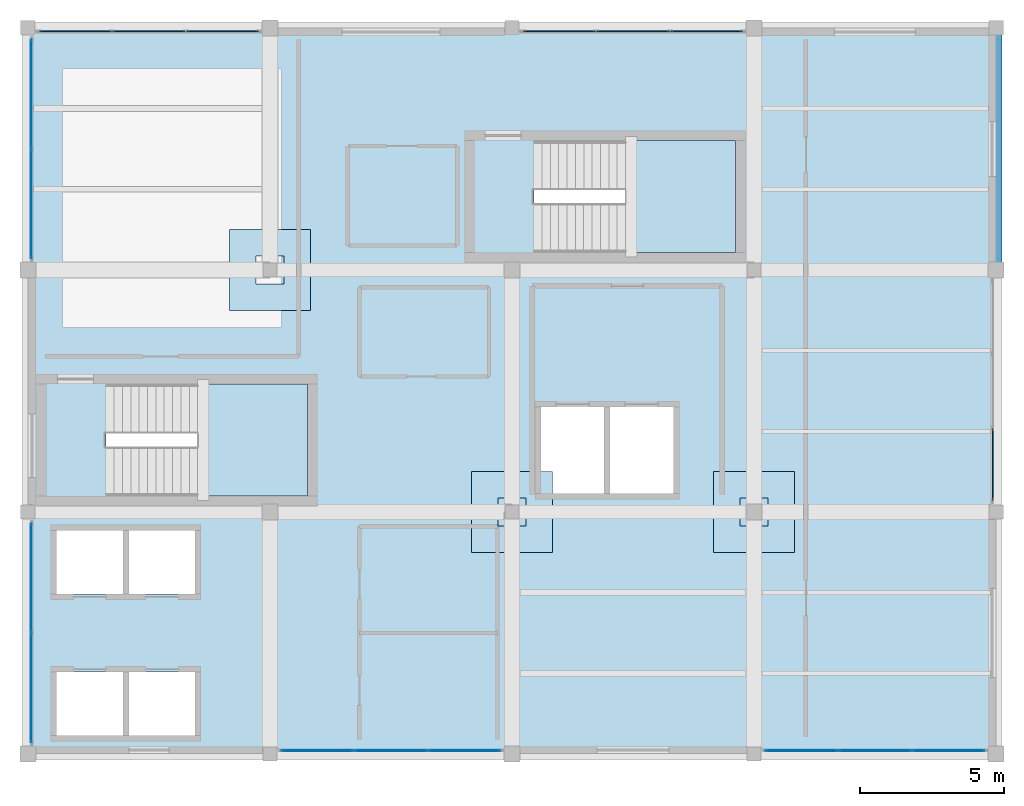
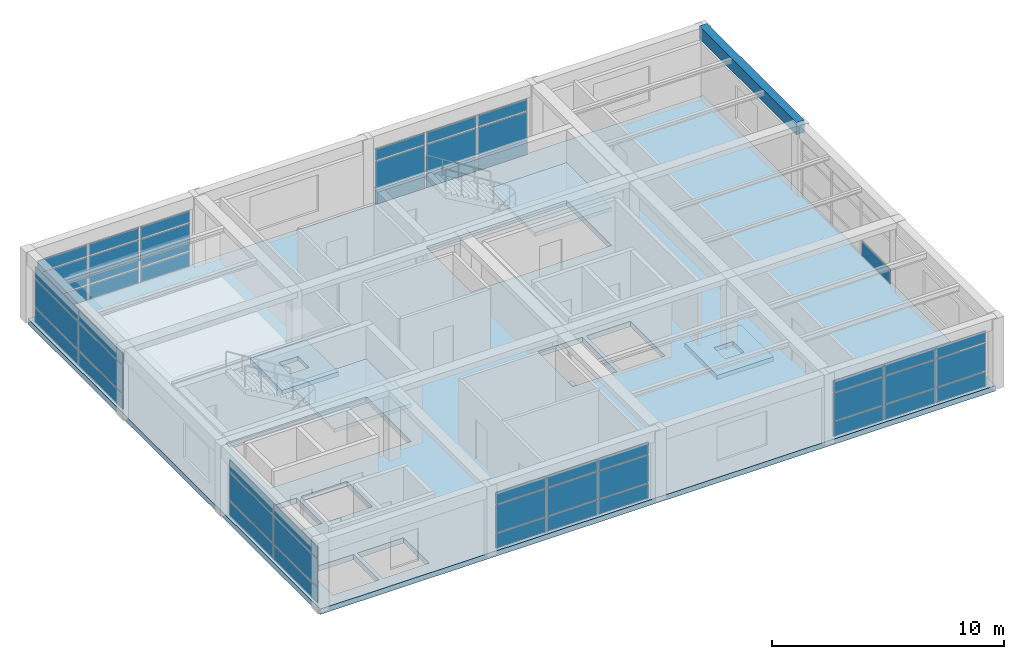
# One storey, part 17 of 20: 49 plates, 6 slabs, 1 beam, 9 elements without a shape of their own.
"""IFC4 building model written with IfcOpenShell, lengths in metres."""

from ifc_helpers import new_model, si_unit, direction, frame, origin, origin_2d, place, context, subcontext, project, spatial, polyline, rectangle, outline, extrude, material, layer, layer_set, material_profile, profile_set, type_object, element, aggregate, save


model = new_model("IFC4")

# Units and contexts
model_context = context("Model", 3, precision=1e-05, world=origin(), true_north=direction((0.0, 1.0)))
body_context = subcontext(model_context, "Body", "Model", "MODEL_VIEW")
ifc_project = project(units=[si_unit("LENGTHUNIT", "METRE"), si_unit("AREAUNIT", "SQUARE_METRE"), si_unit("VOLUMEUNIT", "CUBIC_METRE"), si_unit("PLANEANGLEUNIT", "RADIAN"), si_unit("MASSUNIT", "GRAM", prefix="KILO")], contexts=[model_context])

# Site, building, storey
site_placement = place(None, origin())
site = spatial("IfcSite", under=ifc_project, at=site_placement, CompositionType="ELEMENT")
building_placement = place(site_placement, origin())
building = spatial("IfcBuilding", under=site, at=building_placement, Name="Almacenes y Pasaje Nevantli", CompositionType="ELEMENT")
storey_placement = place(building_placement, frame((0.0, 0.0, 62.699951171875)))
storey = spatial("IfcBuildingStorey", under=building, at=storey_placement, Name="L15", CompositionType="ELEMENT", Elevation=62.699951171875)

# Beam
ifc_material_1 = material(Name="Concrete C35/45", Category="concrete")
ifc_material_profile = material_profile(ifc_material_1, rectangle(XDim=0.39990234375, YDim=0.64990234375, at=origin_2d()), Name="RC-BM-400x650")
ifc_profile_set = profile_set([ifc_material_profile], Name="Concrete C35/45")
beam_type = type_object("IfcBeamType", Name="BM-RC-400x650", PredefinedType="SPANDREL", material=ifc_profile_set)
beam_placement = place(storey_placement, frame((151.199951171875, 84.0, 3.39501953125), z_axis=(0.0, 1.0, 0.0), x_axis=(-1.0, 0.0, 0.0)))
element("IfcBeam", 1, at=beam_placement, inside=storey, type_object=beam_type, Name="L15 North-South Reinforced Concrete Beam #4042", PredefinedType="SPANDREL", context=body_context, shape_type="SweptSolid", body=[
    extrude(rectangle(XDim=0.39990234375, YDim=0.64990234375, at=origin_2d()), origin(), (0.0, 0.0, 1.0), 8.39990234375),
])

# Curtain wall, plates
ifc_material_2 = material(Name="Thermally Broken Aluminium and Low-E Glass", Category="aluminium")
curtain_wall_type = type_object("IfcCurtainWallType", Name="CW-UNIT-TOWER", PredefinedType="USERDEFINED", material=ifc_material_2)
curtain_wall_1_placement = place(storey_placement, origin())
curtain_wall_1 = element("IfcCurtainWall", 2, at=curtain_wall_1_placement, inside=storey, type_object=curtain_wall_type, Name="L15 Tower South Unitized Curtain Wall Bay 16", ObjectType="UNITIZED CURTAIN WALL", PredefinedType="USERDEFINED")
ifc_material_3 = material(Name="Low-E Double Glazed Insulated Unit", Category="glass")
ifc_layer_1 = layer(ifc_material_3, 0.031982421875)
ifc_layer_set_1 = layer_set([ifc_layer_1], Name="Low-E Double Glazed Insulated Unit")
plate_type_1 = type_object("IfcPlateType", Name="PL-IGU-32", PredefinedType="CURTAIN_PANEL", material=ifc_layer_set_1)
plate_1_placement = place(storey_placement, frame((127.6484375, 67.320068359375, 0.06005859375), z_axis=(0.0, 0.0, 1.0), x_axis=(1.0, 0.0, 0.0)))
plate_1 = element("IfcPlate", 3, at=plate_1_placement, type_object=plate_type_1, Name="CW-L15-185 panel 1.1", PredefinedType="CURTAIN_PANEL", context=body_context, shape_type="SweptSolid", body=[
    extrude(rectangle(XDim=2.4765625, YDim=0.031982421875, at=origin_2d()), origin(), (0.0, 0.0, 1.0), 0.760009765625),
])
plate_2_placement = place(storey_placement, frame((127.6484375, 67.320068359375, 0.880126953125), z_axis=(0.0, 0.0, 1.0), x_axis=(1.0, 0.0, 0.0)))
plate_2 = element("IfcPlate", 4, at=plate_2_placement, type_object=plate_type_1, Name="CW-L15-185 panel 1.2", PredefinedType="CURTAIN_PANEL", context=body_context, shape_type="SweptSolid", body=[
    extrude(rectangle(XDim=2.4765625, YDim=0.031982421875, at=origin_2d()), origin(), (0.0, 0.0, 1.0), 1.43994140625),
])
plate_3_placement = place(storey_placement, frame((127.6484375, 67.320068359375, 2.3798828125), z_axis=(0.0, 0.0, 1.0), x_axis=(1.0, 0.0, 0.0)))
plate_3 = element("IfcPlate", 5, at=plate_3_placement, type_object=plate_type_1, Name="CW-L15-185 panel 1.3", PredefinedType="CURTAIN_PANEL", context=body_context, shape_type="SweptSolid", body=[
    extrude(rectangle(XDim=2.4765625, YDim=0.031982421875, at=origin_2d()), origin(), (0.0, 0.0, 1.0), 0.60009765625),
])
plate_4_placement = place(storey_placement, frame((130.199951171875, 67.320068359375, 0.06005859375), z_axis=(0.0, 0.0, 1.0), x_axis=(1.0, 0.0, 0.0)))
plate_4 = element("IfcPlate", 6, at=plate_4_placement, type_object=plate_type_1, Name="CW-L15-185 panel 2.1", PredefinedType="CURTAIN_PANEL", context=body_context, shape_type="SweptSolid", body=[
    extrude(rectangle(XDim=2.506591796875, YDim=0.031982421875, at=origin_2d()), origin(), (0.0, 0.0, 1.0), 0.760009765625),
])
plate_5_placement = place(storey_placement, frame((130.199951171875, 67.320068359375, 0.880126953125), z_axis=(0.0, 0.0, 1.0), x_axis=(1.0, 0.0, 0.0)))
plate_5 = element("IfcPlate", 7, at=plate_5_placement, type_object=plate_type_1, Name="CW-L15-185 panel 2.2", PredefinedType="CURTAIN_PANEL", context=body_context, shape_type="SweptSolid", body=[
    extrude(rectangle(XDim=2.506591796875, YDim=0.031982421875, at=origin_2d()), origin(), (0.0, 0.0, 1.0), 1.43994140625),
])
plate_6_placement = place(storey_placement, frame((130.199951171875, 67.320068359375, 2.3798828125), z_axis=(0.0, 0.0, 1.0), x_axis=(1.0, 0.0, 0.0)))
plate_6 = element("IfcPlate", 8, at=plate_6_placement, type_object=plate_type_1, Name="CW-L15-185 panel 2.3", PredefinedType="CURTAIN_PANEL", context=body_context, shape_type="SweptSolid", body=[
    extrude(rectangle(XDim=2.506591796875, YDim=0.031982421875, at=origin_2d()), origin(), (0.0, 0.0, 1.0), 0.60009765625),
])
plate_7_placement = place(storey_placement, frame((132.751708984375, 67.320068359375, 0.06005859375), z_axis=(0.0, 0.0, 1.0), x_axis=(1.0, 0.0, 0.0)))
plate_7 = element("IfcPlate", 9, at=plate_7_placement, type_object=plate_type_1, Name="CW-L15-185 panel 3.1", PredefinedType="CURTAIN_PANEL", context=body_context, shape_type="SweptSolid", body=[
    extrude(rectangle(XDim=2.4765625, YDim=0.031982421875, at=origin_2d()), origin(), (0.0, 0.0, 1.0), 0.760009765625),
])
plate_8_placement = place(storey_placement, frame((132.751708984375, 67.320068359375, 0.880126953125), z_axis=(0.0, 0.0, 1.0), x_axis=(1.0, 0.0, 0.0)))
plate_8 = element("IfcPlate", 10, at=plate_8_placement, type_object=plate_type_1, Name="CW-L15-185 panel 3.2", PredefinedType="CURTAIN_PANEL", context=body_context, shape_type="SweptSolid", body=[
    extrude(rectangle(XDim=2.4765625, YDim=0.031982421875, at=origin_2d()), origin(), (0.0, 0.0, 1.0), 1.43994140625),
])
plate_9_placement = place(storey_placement, frame((132.751708984375, 67.320068359375, 2.3798828125), z_axis=(0.0, 0.0, 1.0), x_axis=(1.0, 0.0, 0.0)))
plate_9 = element("IfcPlate", 11, at=plate_9_placement, type_object=plate_type_1, Name="CW-L15-185 panel 3.3", PredefinedType="CURTAIN_PANEL", context=body_context, shape_type="SweptSolid", body=[
    extrude(rectangle(XDim=2.4765625, YDim=0.031982421875, at=origin_2d()), origin(), (0.0, 0.0, 1.0), 0.60009765625),
])
aggregate(curtain_wall_1, [plate_1, plate_2, plate_3, plate_4, plate_5, plate_6, plate_7, plate_8, plate_9])

curtain_wall_2_placement = place(storey_placement, origin())
curtain_wall_2 = element("IfcCurtainWall", 12, at=curtain_wall_2_placement, inside=storey, type_object=curtain_wall_type, Name="L15 Tower South Unitized Curtain Wall Bay 18", ObjectType="UNITIZED CURTAIN WALL", PredefinedType="USERDEFINED")
plate_10_placement = place(storey_placement, frame((144.4482421875, 67.320068359375, 0.06005859375), z_axis=(0.0, 0.0, 1.0), x_axis=(1.0, 0.0, 0.0)))
plate_10 = element("IfcPlate", 13, at=plate_10_placement, type_object=plate_type_1, Name="CW-L15-187 panel 1.1", PredefinedType="CURTAIN_PANEL", context=body_context, shape_type="SweptSolid", body=[
    extrude(rectangle(XDim=2.4765625, YDim=0.031982421875, at=origin_2d()), origin(), (0.0, 0.0, 1.0), 0.760009765625),
])
plate_11_placement = place(storey_placement, frame((144.4482421875, 67.320068359375, 0.880126953125), z_axis=(0.0, 0.0, 1.0), x_axis=(1.0, 0.0, 0.0)))
plate_11 = element("IfcPlate", 14, at=plate_11_placement, type_object=plate_type_1, Name="CW-L15-187 panel 1.2", PredefinedType="CURTAIN_PANEL", context=body_context, shape_type="SweptSolid", body=[
    extrude(rectangle(XDim=2.4765625, YDim=0.031982421875, at=origin_2d()), origin(), (0.0, 0.0, 1.0), 1.43994140625),
])
plate_12_placement = place(storey_placement, frame((144.4482421875, 67.320068359375, 2.3798828125), z_axis=(0.0, 0.0, 1.0), x_axis=(1.0, 0.0, 0.0)))
plate_12 = element("IfcPlate", 15, at=plate_12_placement, type_object=plate_type_1, Name="CW-L15-187 panel 1.3", PredefinedType="CURTAIN_PANEL", context=body_context, shape_type="SweptSolid", body=[
    extrude(rectangle(XDim=2.4765625, YDim=0.031982421875, at=origin_2d()), origin(), (0.0, 0.0, 1.0), 0.60009765625),
])
plate_13_placement = place(storey_placement, frame((147.0, 67.320068359375, 0.06005859375), z_axis=(0.0, 0.0, 1.0), x_axis=(1.0, 0.0, 0.0)))
plate_13 = element("IfcPlate", 16, at=plate_13_placement, type_object=plate_type_1, Name="CW-L15-187 panel 2.1", PredefinedType="CURTAIN_PANEL", context=body_context, shape_type="SweptSolid", body=[
    extrude(rectangle(XDim=2.506591796875, YDim=0.031982421875, at=origin_2d()), origin(), (0.0, 0.0, 1.0), 0.760009765625),
])
plate_14_placement = place(storey_placement, frame((147.0, 67.320068359375, 0.880126953125), z_axis=(0.0, 0.0, 1.0), x_axis=(1.0, 0.0, 0.0)))
plate_14 = element("IfcPlate", 17, at=plate_14_placement, type_object=plate_type_1, Name="CW-L15-187 panel 2.2", PredefinedType="CURTAIN_PANEL", context=body_context, shape_type="SweptSolid", body=[
    extrude(rectangle(XDim=2.506591796875, YDim=0.031982421875, at=origin_2d()), origin(), (0.0, 0.0, 1.0), 1.43994140625),
])
plate_15_placement = place(storey_placement, frame((147.0, 67.320068359375, 2.3798828125), z_axis=(0.0, 0.0, 1.0), x_axis=(1.0, 0.0, 0.0)))
plate_15 = element("IfcPlate", 18, at=plate_15_placement, type_object=plate_type_1, Name="CW-L15-187 panel 2.3", PredefinedType="CURTAIN_PANEL", context=body_context, shape_type="SweptSolid", body=[
    extrude(rectangle(XDim=2.506591796875, YDim=0.031982421875, at=origin_2d()), origin(), (0.0, 0.0, 1.0), 0.60009765625),
])
plate_16_placement = place(storey_placement, frame((149.5517578125, 67.320068359375, 0.06005859375), z_axis=(0.0, 0.0, 1.0), x_axis=(1.0, 0.0, 0.0)))
plate_16 = element("IfcPlate", 19, at=plate_16_placement, type_object=plate_type_1, Name="CW-L15-187 panel 3.1", PredefinedType="CURTAIN_PANEL", context=body_context, shape_type="SweptSolid", body=[
    extrude(rectangle(XDim=2.4765625, YDim=0.031982421875, at=origin_2d()), origin(), (0.0, 0.0, 1.0), 0.760009765625),
])
plate_17_placement = place(storey_placement, frame((149.5517578125, 67.320068359375, 0.880126953125), z_axis=(0.0, 0.0, 1.0), x_axis=(1.0, 0.0, 0.0)))
plate_17 = element("IfcPlate", 20, at=plate_17_placement, type_object=plate_type_1, Name="CW-L15-187 panel 3.2", PredefinedType="CURTAIN_PANEL", context=body_context, shape_type="SweptSolid", body=[
    extrude(rectangle(XDim=2.4765625, YDim=0.031982421875, at=origin_2d()), origin(), (0.0, 0.0, 1.0), 1.43994140625),
])
plate_18_placement = place(storey_placement, frame((149.5517578125, 67.320068359375, 2.3798828125), z_axis=(0.0, 0.0, 1.0), x_axis=(1.0, 0.0, 0.0)))
plate_18 = element("IfcPlate", 21, at=plate_18_placement, type_object=plate_type_1, Name="CW-L15-187 panel 3.3", PredefinedType="CURTAIN_PANEL", context=body_context, shape_type="SweptSolid", body=[
    extrude(rectangle(XDim=2.4765625, YDim=0.031982421875, at=origin_2d()), origin(), (0.0, 0.0, 1.0), 0.60009765625),
])
aggregate(curtain_wall_2, [plate_10, plate_11, plate_12, plate_13, plate_14, plate_15, plate_16, plate_17, plate_18])

curtain_wall_3_placement = place(storey_placement, origin())
curtain_wall_3 = element("IfcCurtainWall", 22, at=curtain_wall_3_placement, inside=storey, type_object=curtain_wall_type, Name="L15 Tower West Curtain Wall Bay 9", ObjectType="UNITIZED CURTAIN WALL", PredefinedType="USERDEFINED")
plate_19_placement = place(storey_placement, frame((117.719970703125, 69.489990234375, 0.06005859375), z_axis=(0.0, 0.0, 1.0), x_axis=(0.0, 1.0, 0.0)))
plate_19 = element("IfcPlate", 23, at=plate_19_placement, type_object=plate_type_1, Name="CW-L15-188 panel 1.1", PredefinedType="CURTAIN_PANEL", context=body_context, shape_type="SweptSolid", body=[
    extrude(rectangle(XDim=3.760009765625, YDim=0.031982421875, at=origin_2d()), origin(), (0.0, 0.0, 1.0), 0.760009765625),
])
plate_20_placement = place(storey_placement, frame((117.719970703125, 69.489990234375, 0.880126953125), z_axis=(0.0, 0.0, 1.0), x_axis=(0.0, 1.0, 0.0)))
plate_20 = element("IfcPlate", 24, at=plate_20_placement, type_object=plate_type_1, Name="CW-L15-188 panel 1.2", PredefinedType="CURTAIN_PANEL", context=body_context, shape_type="SweptSolid", body=[
    extrude(rectangle(XDim=3.760009765625, YDim=0.031982421875, at=origin_2d()), origin(), (0.0, 0.0, 1.0), 1.43994140625),
])
plate_21_placement = place(storey_placement, frame((117.719970703125, 69.489990234375, 2.3798828125), z_axis=(0.0, 0.0, 1.0), x_axis=(0.0, 1.0, 0.0)))
plate_21 = element("IfcPlate", 25, at=plate_21_placement, type_object=plate_type_1, Name="CW-L15-188 panel 1.3", PredefinedType="CURTAIN_PANEL", context=body_context, shape_type="SweptSolid", body=[
    extrude(rectangle(XDim=3.760009765625, YDim=0.031982421875, at=origin_2d()), origin(), (0.0, 0.0, 1.0), 0.60009765625),
])
plate_22_placement = place(storey_placement, frame((117.719970703125, 73.31005859375, 0.06005859375), z_axis=(0.0, 0.0, 1.0), x_axis=(0.0, 1.0, 0.0)))
plate_22 = element("IfcPlate", 26, at=plate_22_placement, type_object=plate_type_1, Name="CW-L15-188 panel 2.1", PredefinedType="CURTAIN_PANEL", context=body_context, shape_type="SweptSolid", body=[
    extrude(rectangle(XDim=3.760009765625, YDim=0.031982421875, at=origin_2d()), origin(), (0.0, 0.0, 1.0), 0.760009765625),
])
plate_23_placement = place(storey_placement, frame((117.719970703125, 73.31005859375, 0.880126953125), z_axis=(0.0, 0.0, 1.0), x_axis=(0.0, 1.0, 0.0)))
plate_23 = element("IfcPlate", 27, at=plate_23_placement, type_object=plate_type_1, Name="CW-L15-188 panel 2.2", PredefinedType="CURTAIN_PANEL", context=body_context, shape_type="SweptSolid", body=[
    extrude(rectangle(XDim=3.760009765625, YDim=0.031982421875, at=origin_2d()), origin(), (0.0, 0.0, 1.0), 1.43994140625),
])
plate_24_placement = place(storey_placement, frame((117.719970703125, 73.31005859375, 2.3798828125), z_axis=(0.0, 0.0, 1.0), x_axis=(0.0, 1.0, 0.0)))
plate_24 = element("IfcPlate", 28, at=plate_24_placement, type_object=plate_type_1, Name="CW-L15-188 panel 2.3", PredefinedType="CURTAIN_PANEL", context=body_context, shape_type="SweptSolid", body=[
    extrude(rectangle(XDim=3.760009765625, YDim=0.031982421875, at=origin_2d()), origin(), (0.0, 0.0, 1.0), 0.60009765625),
])
aggregate(curtain_wall_3, [plate_19, plate_20, plate_21, plate_22, plate_23, plate_24])

curtain_wall_4_placement = place(storey_placement, origin())
curtain_wall_4 = element("IfcCurtainWall", 29, at=curtain_wall_4_placement, inside=storey, type_object=curtain_wall_type, Name="L15 Tower West Curtain Wall Bay 11", ObjectType="UNITIZED CURTAIN WALL", PredefinedType="USERDEFINED")
plate_25_placement = place(storey_placement, frame((117.719970703125, 86.2900390625, 0.06005859375), z_axis=(0.0, 0.0, 1.0), x_axis=(0.0, 1.0, 0.0)))
plate_25 = element("IfcPlate", 30, at=plate_25_placement, type_object=plate_type_1, Name="CW-L15-190 panel 1.1", PredefinedType="CURTAIN_PANEL", context=body_context, shape_type="SweptSolid", body=[
    extrude(rectangle(XDim=3.760009765625, YDim=0.031982421875, at=origin_2d()), origin(), (0.0, 0.0, 1.0), 0.760009765625),
])
plate_26_placement = place(storey_placement, frame((117.719970703125, 86.2900390625, 0.880126953125), z_axis=(0.0, 0.0, 1.0), x_axis=(0.0, 1.0, 0.0)))
plate_26 = element("IfcPlate", 31, at=plate_26_placement, type_object=plate_type_1, Name="CW-L15-190 panel 1.2", PredefinedType="CURTAIN_PANEL", context=body_context, shape_type="SweptSolid", body=[
    extrude(rectangle(XDim=3.760009765625, YDim=0.031982421875, at=origin_2d()), origin(), (0.0, 0.0, 1.0), 1.43994140625),
])
plate_27_placement = place(storey_placement, frame((117.719970703125, 86.2900390625, 2.3798828125), z_axis=(0.0, 0.0, 1.0), x_axis=(0.0, 1.0, 0.0)))
plate_27 = element("IfcPlate", 32, at=plate_27_placement, type_object=plate_type_1, Name="CW-L15-190 panel 1.3", PredefinedType="CURTAIN_PANEL", context=body_context, shape_type="SweptSolid", body=[
    extrude(rectangle(XDim=3.760009765625, YDim=0.031982421875, at=origin_2d()), origin(), (0.0, 0.0, 1.0), 0.60009765625),
])
plate_28_placement = place(storey_placement, frame((117.719970703125, 90.110107421875, 0.06005859375), z_axis=(0.0, 0.0, 1.0), x_axis=(0.0, 1.0, 0.0)))
plate_28 = element("IfcPlate", 33, at=plate_28_placement, type_object=plate_type_1, Name="CW-L15-190 panel 2.1", PredefinedType="CURTAIN_PANEL", context=body_context, shape_type="SweptSolid", body=[
    extrude(rectangle(XDim=3.760009765625, YDim=0.031982421875, at=origin_2d()), origin(), (0.0, 0.0, 1.0), 0.760009765625),
])
plate_29_placement = place(storey_placement, frame((117.719970703125, 90.110107421875, 0.880126953125), z_axis=(0.0, 0.0, 1.0), x_axis=(0.0, 1.0, 0.0)))
plate_29 = element("IfcPlate", 34, at=plate_29_placement, type_object=plate_type_1, Name="CW-L15-190 panel 2.2", PredefinedType="CURTAIN_PANEL", context=body_context, shape_type="SweptSolid", body=[
    extrude(rectangle(XDim=3.760009765625, YDim=0.031982421875, at=origin_2d()), origin(), (0.0, 0.0, 1.0), 1.43994140625),
])
plate_30_placement = place(storey_placement, frame((117.719970703125, 90.110107421875, 2.3798828125), z_axis=(0.0, 0.0, 1.0), x_axis=(0.0, 1.0, 0.0)))
plate_30 = element("IfcPlate", 35, at=plate_30_placement, type_object=plate_type_1, Name="CW-L15-190 panel 2.3", PredefinedType="CURTAIN_PANEL", context=body_context, shape_type="SweptSolid", body=[
    extrude(rectangle(XDim=3.760009765625, YDim=0.031982421875, at=origin_2d()), origin(), (0.0, 0.0, 1.0), 0.60009765625),
])
aggregate(curtain_wall_4, [plate_25, plate_26, plate_27, plate_28, plate_29, plate_30])

curtain_wall_5_placement = place(storey_placement, origin())
curtain_wall_5 = element("IfcCurtainWall", 36, at=curtain_wall_5_placement, inside=storey, type_object=curtain_wall_type, Name="L15 Tower North Boulevard Unitized Curtain Wall Bay 15", ObjectType="UNITIZED CURTAIN WALL", PredefinedType="USERDEFINED")
ifc_material_4 = material(Name="Acoustic Tempered Low-E Triple Glazed Unit", Category="glass")
ifc_layer_2 = layer(ifc_material_4, 0.0419921875)
ifc_layer_set_2 = layer_set([ifc_layer_2], Name="Acoustic Tempered Low-E Triple Glazed Unit")
plate_type_2 = type_object("IfcPlateType", Name="PL-IGU-42", PredefinedType="CURTAIN_PANEL", material=ifc_layer_set_2)
plate_31_placement = place(storey_placement, frame((119.24951171875, 92.280029296875, 0.065185546875), z_axis=(0.0, 0.0, 1.0), x_axis=(1.0, 0.0, 0.0)))
plate_31 = element("IfcPlate", 37, at=plate_31_placement, type_object=plate_type_2, Name="CW-L15-184 panel 1.1", PredefinedType="CURTAIN_PANEL", context=body_context, shape_type="SweptSolid", body=[
    extrude(rectangle(XDim=2.46923828125, YDim=0.0419921875, at=origin_2d()), origin(), (0.0, 0.0, 1.0), 0.75244140625),
])
plate_32_placement = place(storey_placement, frame((119.24951171875, 92.280029296875, 0.882568359375), z_axis=(0.0, 0.0, 1.0), x_axis=(1.0, 0.0, 0.0)))
plate_32 = element("IfcPlate", 38, at=plate_32_placement, type_object=plate_type_2, Name="CW-L15-184 panel 1.2", PredefinedType="CURTAIN_PANEL", context=body_context, shape_type="SweptSolid", body=[
    extrude(rectangle(XDim=2.46923828125, YDim=0.0419921875, at=origin_2d()), origin(), (0.0, 0.0, 1.0), 1.43505859375),
])
plate_33_placement = place(storey_placement, frame((119.24951171875, 92.280029296875, 2.38232421875), z_axis=(0.0, 0.0, 1.0), x_axis=(1.0, 0.0, 0.0)))
plate_33 = element("IfcPlate", 39, at=plate_33_placement, type_object=plate_type_2, Name="CW-L15-184 panel 1.3", PredefinedType="CURTAIN_PANEL", context=body_context, shape_type="SweptSolid", body=[
    extrude(rectangle(XDim=2.46923828125, YDim=0.0419921875, at=origin_2d()), origin(), (0.0, 0.0, 1.0), 0.592529296875),
])
plate_34_placement = place(storey_placement, frame((121.800048828125, 92.280029296875, 0.065185546875), z_axis=(0.0, 0.0, 1.0), x_axis=(1.0, 0.0, 0.0)))
plate_34 = element("IfcPlate", 40, at=plate_34_placement, type_object=plate_type_2, Name="CW-L15-184 panel 2.1", PredefinedType="CURTAIN_PANEL", context=body_context, shape_type="SweptSolid", body=[
    extrude(rectangle(XDim=2.501708984375, YDim=0.0419921875, at=origin_2d()), origin(), (0.0, 0.0, 1.0), 0.75244140625),
])
plate_35_placement = place(storey_placement, frame((121.800048828125, 92.280029296875, 0.882568359375), z_axis=(0.0, 0.0, 1.0), x_axis=(1.0, 0.0, 0.0)))
plate_35 = element("IfcPlate", 41, at=plate_35_placement, type_object=plate_type_2, Name="CW-L15-184 panel 2.2", PredefinedType="CURTAIN_PANEL", context=body_context, shape_type="SweptSolid", body=[
    extrude(rectangle(XDim=2.501708984375, YDim=0.0419921875, at=origin_2d()), origin(), (0.0, 0.0, 1.0), 1.43505859375),
])
plate_36_placement = place(storey_placement, frame((121.800048828125, 92.280029296875, 2.38232421875), z_axis=(0.0, 0.0, 1.0), x_axis=(1.0, 0.0, 0.0)))
plate_36 = element("IfcPlate", 42, at=plate_36_placement, type_object=plate_type_2, Name="CW-L15-184 panel 2.3", PredefinedType="CURTAIN_PANEL", context=body_context, shape_type="SweptSolid", body=[
    extrude(rectangle(XDim=2.501708984375, YDim=0.0419921875, at=origin_2d()), origin(), (0.0, 0.0, 1.0), 0.592529296875),
])
plate_37_placement = place(storey_placement, frame((124.350341796875, 92.280029296875, 0.065185546875), z_axis=(0.0, 0.0, 1.0), x_axis=(1.0, 0.0, 0.0)))
plate_37 = element("IfcPlate", 43, at=plate_37_placement, type_object=plate_type_2, Name="CW-L15-184 panel 3.1", PredefinedType="CURTAIN_PANEL", context=body_context, shape_type="SweptSolid", body=[
    extrude(rectangle(XDim=2.46923828125, YDim=0.0419921875, at=origin_2d()), origin(), (0.0, 0.0, 1.0), 0.75244140625),
])
plate_38_placement = place(storey_placement, frame((124.350341796875, 92.280029296875, 0.882568359375), z_axis=(0.0, 0.0, 1.0), x_axis=(1.0, 0.0, 0.0)))
plate_38 = element("IfcPlate", 44, at=plate_38_placement, type_object=plate_type_2, Name="CW-L15-184 panel 3.2", PredefinedType="CURTAIN_PANEL", context=body_context, shape_type="SweptSolid", body=[
    extrude(rectangle(XDim=2.46923828125, YDim=0.0419921875, at=origin_2d()), origin(), (0.0, 0.0, 1.0), 1.43505859375),
])
plate_39_placement = place(storey_placement, frame((124.350341796875, 92.280029296875, 2.38232421875), z_axis=(0.0, 0.0, 1.0), x_axis=(1.0, 0.0, 0.0)))
plate_39 = element("IfcPlate", 45, at=plate_39_placement, type_object=plate_type_2, Name="CW-L15-184 panel 3.3", PredefinedType="CURTAIN_PANEL", context=body_context, shape_type="SweptSolid", body=[
    extrude(rectangle(XDim=2.46923828125, YDim=0.0419921875, at=origin_2d()), origin(), (0.0, 0.0, 1.0), 0.592529296875),
])
aggregate(curtain_wall_5, [plate_31, plate_32, plate_33, plate_34, plate_35, plate_36, plate_37, plate_38, plate_39])

curtain_wall_6_placement = place(storey_placement, origin())
curtain_wall_6 = element("IfcCurtainWall", 46, at=curtain_wall_6_placement, inside=storey, type_object=curtain_wall_type, Name="L15 Tower North Boulevard Unitized Curtain Wall Bay 17", ObjectType="UNITIZED CURTAIN WALL", PredefinedType="USERDEFINED")
plate_40_placement = place(storey_placement, frame((136.049560546875, 92.280029296875, 0.065185546875), z_axis=(0.0, 0.0, 1.0), x_axis=(1.0, 0.0, 0.0)))
plate_40 = element("IfcPlate", 47, at=plate_40_placement, type_object=plate_type_2, Name="CW-L15-186 panel 1.1", PredefinedType="CURTAIN_PANEL", context=body_context, shape_type="SweptSolid", body=[
    extrude(rectangle(XDim=2.46923828125, YDim=0.0419921875, at=origin_2d()), origin(), (0.0, 0.0, 1.0), 0.75244140625),
])
plate_41_placement = place(storey_placement, frame((136.049560546875, 92.280029296875, 0.882568359375), z_axis=(0.0, 0.0, 1.0), x_axis=(1.0, 0.0, 0.0)))
plate_41 = element("IfcPlate", 48, at=plate_41_placement, type_object=plate_type_2, Name="CW-L15-186 panel 1.2", PredefinedType="CURTAIN_PANEL", context=body_context, shape_type="SweptSolid", body=[
    extrude(rectangle(XDim=2.46923828125, YDim=0.0419921875, at=origin_2d()), origin(), (0.0, 0.0, 1.0), 1.43505859375),
])
plate_42_placement = place(storey_placement, frame((136.049560546875, 92.280029296875, 2.38232421875), z_axis=(0.0, 0.0, 1.0), x_axis=(1.0, 0.0, 0.0)))
plate_42 = element("IfcPlate", 49, at=plate_42_placement, type_object=plate_type_2, Name="CW-L15-186 panel 1.3", PredefinedType="CURTAIN_PANEL", context=body_context, shape_type="SweptSolid", body=[
    extrude(rectangle(XDim=2.46923828125, YDim=0.0419921875, at=origin_2d()), origin(), (0.0, 0.0, 1.0), 0.592529296875),
])
plate_43_placement = place(storey_placement, frame((138.60009765625, 92.280029296875, 0.065185546875), z_axis=(0.0, 0.0, 1.0), x_axis=(1.0, 0.0, 0.0)))
plate_43 = element("IfcPlate", 50, at=plate_43_placement, type_object=plate_type_2, Name="CW-L15-186 panel 2.1", PredefinedType="CURTAIN_PANEL", context=body_context, shape_type="SweptSolid", body=[
    extrude(rectangle(XDim=2.501708984375, YDim=0.0419921875, at=origin_2d()), origin(), (0.0, 0.0, 1.0), 0.75244140625),
])
plate_44_placement = place(storey_placement, frame((138.60009765625, 92.280029296875, 0.882568359375), z_axis=(0.0, 0.0, 1.0), x_axis=(1.0, 0.0, 0.0)))
plate_44 = element("IfcPlate", 51, at=plate_44_placement, type_object=plate_type_2, Name="CW-L15-186 panel 2.2", PredefinedType="CURTAIN_PANEL", context=body_context, shape_type="SweptSolid", body=[
    extrude(rectangle(XDim=2.501708984375, YDim=0.0419921875, at=origin_2d()), origin(), (0.0, 0.0, 1.0), 1.43505859375),
])
plate_45_placement = place(storey_placement, frame((138.60009765625, 92.280029296875, 2.38232421875), z_axis=(0.0, 0.0, 1.0), x_axis=(1.0, 0.0, 0.0)))
plate_45 = element("IfcPlate", 52, at=plate_45_placement, type_object=plate_type_2, Name="CW-L15-186 panel 2.3", PredefinedType="CURTAIN_PANEL", context=body_context, shape_type="SweptSolid", body=[
    extrude(rectangle(XDim=2.501708984375, YDim=0.0419921875, at=origin_2d()), origin(), (0.0, 0.0, 1.0), 0.592529296875),
])
plate_46_placement = place(storey_placement, frame((141.150390625, 92.280029296875, 0.065185546875), z_axis=(0.0, 0.0, 1.0), x_axis=(1.0, 0.0, 0.0)))
plate_46 = element("IfcPlate", 53, at=plate_46_placement, type_object=plate_type_2, Name="CW-L15-186 panel 3.1", PredefinedType="CURTAIN_PANEL", context=body_context, shape_type="SweptSolid", body=[
    extrude(rectangle(XDim=2.46923828125, YDim=0.0419921875, at=origin_2d()), origin(), (0.0, 0.0, 1.0), 0.75244140625),
])
plate_47_placement = place(storey_placement, frame((141.150390625, 92.280029296875, 0.882568359375), z_axis=(0.0, 0.0, 1.0), x_axis=(1.0, 0.0, 0.0)))
plate_47 = element("IfcPlate", 54, at=plate_47_placement, type_object=plate_type_2, Name="CW-L15-186 panel 3.2", PredefinedType="CURTAIN_PANEL", context=body_context, shape_type="SweptSolid", body=[
    extrude(rectangle(XDim=2.46923828125, YDim=0.0419921875, at=origin_2d()), origin(), (0.0, 0.0, 1.0), 1.43505859375),
])
plate_48_placement = place(storey_placement, frame((141.150390625, 92.280029296875, 2.38232421875), z_axis=(0.0, 0.0, 1.0), x_axis=(1.0, 0.0, 0.0)))
plate_48 = element("IfcPlate", 55, at=plate_48_placement, type_object=plate_type_2, Name="CW-L15-186 panel 3.3", PredefinedType="CURTAIN_PANEL", context=body_context, shape_type="SweptSolid", body=[
    extrude(rectangle(XDim=2.46923828125, YDim=0.0419921875, at=origin_2d()), origin(), (0.0, 0.0, 1.0), 0.592529296875),
])
aggregate(curtain_wall_6, [plate_40, plate_41, plate_42, plate_43, plate_44, plate_45, plate_46, plate_47, plate_48])

# Curtain wall, plate
curtain_wall_7_placement = place(storey_placement, origin())
curtain_wall_7 = element("IfcCurtainWall", 56, at=curtain_wall_7_placement, inside=storey, type_object=curtain_wall_type, Name="L15 Tower East Curtain Wall Bay 10", ObjectType="UNITIZED CURTAIN WALL", PredefinedType="USERDEFINED")
plate_49_placement = place(storey_placement, frame((151.080078125, 77.248291015625, 0.06005859375), z_axis=(0.0, 0.0, 1.0), x_axis=(0.0, 1.0, 0.0)))
plate_49 = element("IfcPlate", 57, at=plate_49_placement, type_object=plate_type_2, Name="CW-L15-189 panel 1.1", PredefinedType="CURTAIN_PANEL", context=body_context, shape_type="SweptSolid", body=[
    extrude(rectangle(XDim=2.4765625, YDim=0.0419921875, at=origin_2d()), origin(), (0.0, 0.0, 1.0), 0.760009765625),
])
aggregate(curtain_wall_7, [plate_49])

# Slabs
ifc_material_5 = material(Name="Concrete C35/45", Category="concrete")
ifc_layer_3 = layer(ifc_material_5, 0.22998046875)
ifc_layer_set_3 = layer_set([ifc_layer_3], Name="Concrete C35/45")
slab_type_1 = type_object("IfcSlabType", Name="SLB-DP-230", PredefinedType="USERDEFINED", material=ifc_layer_set_3)
slab_1_placement = place(storey_placement, frame((0.0, 0.0, -0.510009765625)))
element("IfcSlab", 58, at=slab_1_placement, inside=storey, type_object=slab_type_1, Name="L15 Punching-Shear Drop Panel DP-01 #1182", ObjectType="DROP PANEL", PredefinedType="USERDEFINED", context=body_context, shape_type="SweptSolid", body=[
    extrude(outline(polyline([(124.60009765625, 82.60009765625), (127.39990234375, 82.60009765625), (127.39990234375, 85.39990234375), (124.60009765625, 85.39990234375), (124.60009765625, 82.60009765625)]), holes=[polyline([(125.52001953125, 83.52001953125), (126.47998046875, 83.52001953125), (126.47998046875, 84.47998046875), (125.52001953125, 84.47998046875), (125.52001953125, 83.52001953125)])]), origin(), (0.0, 0.0, 1.0), 0.22998046875),
])
slab_2_placement = place(storey_placement, frame((0.0, 0.0, -0.510009765625)))
element("IfcSlab", 59, at=slab_2_placement, inside=storey, type_object=slab_type_1, Name="L15 Punching-Shear Drop Panel DP-01 #1183", ObjectType="DROP PANEL", PredefinedType="USERDEFINED", context=body_context, shape_type="SweptSolid", body=[
    extrude(outline(polyline([(133.0, 74.199951171875), (135.800048828125, 74.199951171875), (135.800048828125, 77.0), (133.0, 77.0), (133.0, 74.199951171875)]), holes=[polyline([(133.919921875, 75.1201171875), (134.8798828125, 75.1201171875), (134.8798828125, 76.080078125), (133.919921875, 76.080078125), (133.919921875, 75.1201171875)])]), origin(), (0.0, 0.0, 1.0), 0.22998046875),
])
slab_3_placement = place(storey_placement, frame((0.0, 0.0, -0.510009765625)))
element("IfcSlab", 60, at=slab_3_placement, inside=storey, type_object=slab_type_1, Name="L15 Punching-Shear Drop Panel DP-01 #1184", ObjectType="DROP PANEL", PredefinedType="USERDEFINED", context=body_context, shape_type="SweptSolid", body=[
    extrude(outline(polyline([(141.39990234375, 74.199951171875), (144.199951171875, 74.199951171875), (144.199951171875, 77.0), (141.39990234375, 77.0), (141.39990234375, 74.199951171875)]), holes=[polyline([(142.320068359375, 75.1201171875), (143.280029296875, 75.1201171875), (143.280029296875, 76.080078125), (142.320068359375, 76.080078125), (142.320068359375, 75.1201171875)])]), origin(), (0.0, 0.0, 1.0), 0.22998046875),
])
ifc_material_6 = material(Name="Concrete C35/45", Category="concrete")
ifc_layer_4 = layer(ifc_material_6, 0.280029296875)
ifc_layer_set_4 = layer_set([ifc_layer_4], Name="Concrete C35/45")
slab_type_2 = type_object("IfcSlabType", Name="SLB-FLR-280", PredefinedType="FLOOR", material=ifc_layer_set_4)
slab_4_placement = place(storey_placement, frame((0.0, 0.0, -0.280029296875)))
element("IfcSlab", 61, at=slab_4_placement, inside=storey, type_object=slab_type_2, Name="L15 Corporate Office Tower Floor Slab", PredefinedType="FLOOR", context=body_context, shape_type="SweptSolid", body=[
    extrude(outline(polyline([(117.60009765625, 67.199951171875), (151.199951171875, 67.199951171875), (151.199951171875, 92.39990234375), (117.60009765625, 92.39990234375), (117.60009765625, 67.199951171875)]), holes=[polyline([(120.31494140625, 76.14990234375), (127.300048828125, 76.14990234375), (127.300048828125, 80.0400390625), (120.31494140625, 80.0400390625), (120.31494140625, 76.14990234375)]), polyline([(135.1650390625, 84.60009765625), (142.14990234375, 84.60009765625), (142.14990234375, 88.489990234375), (135.1650390625, 88.489990234375), (135.1650390625, 84.60009765625)]), polyline([(118.60009765625, 67.85009765625), (120.89990234375, 67.85009765625), (120.89990234375, 70.050048828125), (118.60009765625, 70.050048828125), (118.60009765625, 67.85009765625)]), polyline([(121.10009765625, 67.85009765625), (123.39990234375, 67.85009765625), (123.39990234375, 70.050048828125), (121.10009765625, 70.050048828125), (121.10009765625, 67.85009765625)]), polyline([(118.60009765625, 72.75), (120.89990234375, 72.75), (120.89990234375, 74.949951171875), (118.60009765625, 74.949951171875), (118.60009765625, 72.75)]), polyline([(121.10009765625, 72.75), (123.39990234375, 72.75), (123.39990234375, 74.949951171875), (121.10009765625, 74.949951171875), (121.10009765625, 72.75)]), polyline([(135.39990234375, 76.25), (137.60009765625, 76.25), (137.60009765625, 79.25), (135.39990234375, 79.25), (135.39990234375, 76.25)]), polyline([(137.800048828125, 76.25), (140.0, 76.25), (140.0, 79.25), (137.800048828125, 79.25), (137.800048828125, 76.25)])]), origin(), (0.0, 0.0, 1.0), 0.280029296875),
])

# Stair, slab
ifc_material_7 = material(Name="Concrete C35/45", Category="concrete")
stair_type = type_object("IfcStairType", Name="STR-CORE-1720", PredefinedType="HALF_TURN_STAIR", material=ifc_material_7)
stair_1_placement = place(storey_placement, origin())
stair_1 = element("IfcStair", 62, at=stair_1_placement, inside=storey, type_object=stair_type, Name="L15 Staircase ST-01", PredefinedType="HALF_TURN_STAIR")
ifc_material_8 = material(Name="Concrete C35/45", Category="concrete")
ifc_layer_5 = layer(ifc_material_8, 0.199951171875)
ifc_layer_set_5 = layer_set([ifc_layer_5], Name="Concrete C35/45")
slab_type_3 = type_object("IfcSlabType", Name="SLB-LAND-200", PredefinedType="LANDING", material=ifc_layer_set_5)
slab_5_placement = place(storey_placement, frame((0.0, 0.0, 1.800048828125)))
slab_5 = element("IfcSlab", 63, at=slab_5_placement, type_object=slab_type_3, Name="ST-01-L15 landing 1", PredefinedType="LANDING", context=body_context, shape_type="SweptSolid", body=[
    extrude(outline(polyline([(123.47509765625, 76.14990234375), (127.300048828125, 76.14990234375), (127.300048828125, 80.0400390625), (123.47509765625, 80.0400390625), (123.47509765625, 76.14990234375)])), origin(), (0.0, 0.0, 1.0), 0.199951171875),
])
aggregate(stair_1, [slab_5])

stair_2_placement = place(storey_placement, origin())
stair_2 = element("IfcStair", 64, at=stair_2_placement, inside=storey, type_object=stair_type, Name="L15 Staircase ST-02", PredefinedType="HALF_TURN_STAIR")
slab_6_placement = place(storey_placement, frame((0.0, 0.0, 1.800048828125)))
slab_6 = element("IfcSlab", 65, at=slab_6_placement, type_object=slab_type_3, Name="ST-02-L15 landing 1", PredefinedType="LANDING", context=body_context, shape_type="SweptSolid", body=[
    extrude(outline(polyline([(138.324951171875, 84.60009765625), (142.14990234375, 84.60009765625), (142.14990234375, 88.489990234375), (138.324951171875, 88.489990234375), (138.324951171875, 84.60009765625)])), origin(), (0.0, 0.0, 1.0), 0.199951171875),
])
aggregate(stair_2, [slab_6])

save(model, "model.ifc")
